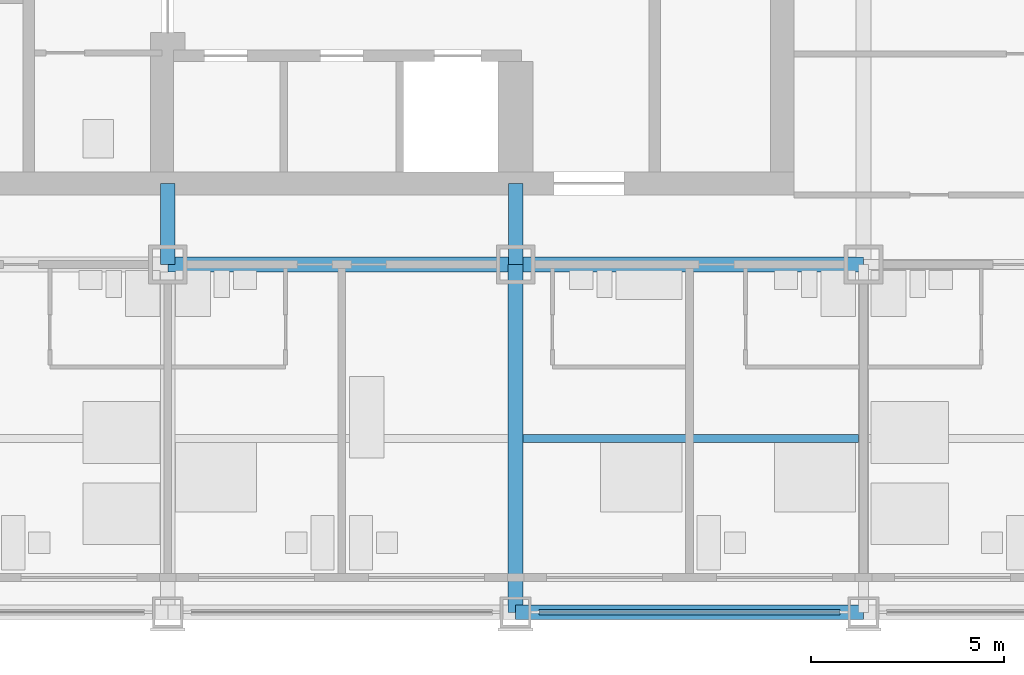
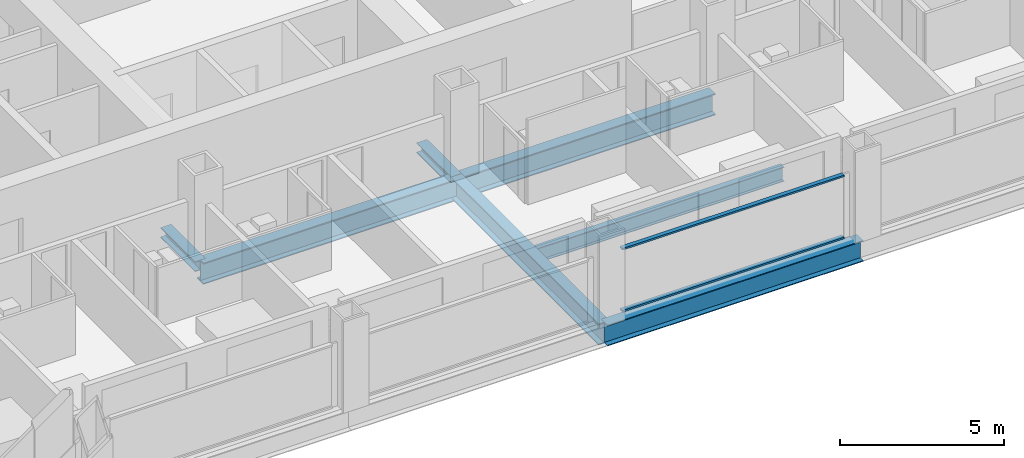
# One storey, part 3 of 19: 5 beams, 4 members, 1 element without a shape of its own.
"""IFC4 building model written with IfcOpenShell, lengths in metres."""

from ifc_helpers import new_model, si_unit, direction, frame, origin, origin_2d, place, context, subcontext, project, spatial, rectangle, i_section, extrude, material, material_profile, profile_set, type_object, element, aggregate, save


model = new_model("IFC4")

# Units and contexts
model_context = context("Model", 3, precision=1e-05, world=origin(), true_north=direction((0.0, 1.0)))
body_context = subcontext(model_context, "Body", "Model", "MODEL_VIEW")
ifc_project = project(units=[si_unit("LENGTHUNIT", "METRE"), si_unit("AREAUNIT", "SQUARE_METRE"), si_unit("VOLUMEUNIT", "CUBIC_METRE"), si_unit("PLANEANGLEUNIT", "RADIAN"), si_unit("MASSUNIT", "GRAM", prefix="KILO")], contexts=[model_context])

# Site, building, storey
site_placement = place(None, origin())
site = spatial("IfcSite", under=ifc_project, at=site_placement, CompositionType="ELEMENT")
building_placement = place(site_placement, origin())
building = spatial("IfcBuilding", under=site, at=building_placement, Name="Loomwork Tower", CompositionType="ELEMENT")
storey_placement = place(building_placement, frame((0.0, 0.0, 85.800048828125)))
storey = spatial("IfcBuildingStorey", under=building, at=storey_placement, Name="L22", CompositionType="ELEMENT", Elevation=85.800048828125)

# Beams
ifc_material_1 = material(Name="Steel ASTM A992", Category="steel")
ifc_material_profile_1 = material_profile(ifc_material_1, i_section(OverallWidth=0.383544921875, OverallDepth=0.794921875, WebThickness=0.02099609375, FlangeThickness=0.0380859375, at=origin_2d()), Name="W30x235")
ifc_profile_set_1 = profile_set([ifc_material_profile_1], Name="Steel ASTM A992")
beam_type_1 = type_object("IfcBeamType", Name="CORE FLANK GIRDER W30x235", PredefinedType="BEAM", material=ifc_profile_set_1)
for number, where, z_axis, x_axis, name in (
    (1, (18.0, 9.0, -0.59765625), (1.0, 0.0, 0.0), (0.0, 1.0, 0.0), "Core Flank Girder E/4-E/5 L22"),
    (2, (27.0, 9.0, -0.59765625), (1.0, 0.0, 0.0), (0.0, 1.0, 0.0), "Core Flank Girder E/5-E/6 L22"),
    (3, (27.0, 0.0, -0.59765625), (0.0, 1.0, 0.0), (-1.0, 0.0, 0.0), "Core Flank Girder D/5-E/5 L22"),
):
    element("IfcBeam", number, at=place(storey_placement, frame(where, z_axis=z_axis, x_axis=x_axis)), inside=storey, type_object=beam_type_1, Name=name, PredefinedType="BEAM", context=body_context, shape_type="SweptSolid", body=[
        extrude(i_section(OverallWidth=0.383544921875, OverallDepth=0.794921875, WebThickness=0.02099609375, FlangeThickness=0.0380859375, at=origin_2d()), origin(), (0.0, 0.0, 1.0), 9.0),
    ])

# Members
ifc_material_2 = material(Name="Steel ASTM A992", Category="steel")
ifc_material_profile_2 = material_profile(ifc_material_2, i_section(OverallWidth=0.373291015625, OverallDepth=0.373291015625, WebThickness=0.016357421875, FlangeThickness=0.026123046875, at=origin_2d()), Name="W14x132")
ifc_profile_set_2 = profile_set([ifc_material_profile_2], Name="Steel ASTM A992")
member_type_1 = type_object("IfcMemberType", Name="CORE LINK STRUT W14x132", PredefinedType="STRUT", material=ifc_profile_set_2)
for number, where, z_axis, x_axis, name in (
    (4, (27.0, 9.0, -0.38671875), (0.0, 1.0, 0.0), (-1.0, 0.0, 0.0), "Core link strut E/5-27.000,11.100 L22"),
    (5, (18.0, 9.0, -0.38671875), (0.0, 1.0, 0.0), (-1.0, 0.0, 0.0), "Core link strut E/4-18.000,11.100 L22"),
):
    element("IfcMember", number, at=place(storey_placement, frame(where, z_axis=z_axis, x_axis=x_axis)), inside=storey, type_object=member_type_1, Name=name, PredefinedType="STRUT", context=body_context, shape_type="SweptSolid", body=[
        extrude(i_section(OverallWidth=0.373291015625, OverallDepth=0.373291015625, WebThickness=0.016357421875, FlangeThickness=0.026123046875, at=origin_2d()), origin(), (0.0, 0.0, 1.0), 2.10009765625),
    ])

# Beam
ifc_material_3 = material(Name="Steel ASTM A992", Category="steel")
ifc_material_profile_3 = material_profile(ifc_material_3, i_section(OverallWidth=0.2109375, OverallDepth=0.53857421875, WebThickness=0.011474609375, FlangeThickness=0.018798828125, at=origin_2d()), Name="W21x73")
ifc_profile_set_3 = profile_set([ifc_material_profile_3], Name="Steel ASTM A992")
beam_type_2 = type_object("IfcBeamType", Name="FLOOR JOIST W21x73", PredefinedType="JOIST", material=ifc_profile_set_3)
beam_1_placement = place(storey_placement, frame((27.19091796875, 4.5, -0.46923828125), z_axis=(1.0, 0.0, 0.0), x_axis=(0.0, 1.0, 0.0)))
element("IfcBeam", 6, at=beam_1_placement, inside=storey, type_object=beam_type_2, Name="Floor Joist 27.000,4.500-36.000,4.500 L22", PredefinedType="JOIST", context=body_context, shape_type="SweptSolid", body=[
    extrude(i_section(OverallWidth=0.2109375, OverallDepth=0.53857421875, WebThickness=0.011474609375, FlangeThickness=0.018798828125, at=origin_2d()), origin(), (0.0, 0.0, 1.0), 8.676025390625),
])

# Curtain wall, members
ifc_material_4 = material(Name="Aluminium curtain wall frame", Category="aluminium")
curtain_wall_type = type_object("IfcCurtainWallType", Name="Outer skin glazing hotel", PredefinedType="NOTDEFINED", material=ifc_material_4)
curtain_wall_placement = place(storey_placement, origin())
curtain_wall = element("IfcCurtainWall", 7, at=curtain_wall_placement, inside=storey, type_object=curtain_wall_type, Name="Outer skin glazing hotel cw/S-27", PredefinedType="NOTDEFINED")
ifc_material_5 = material(Name="Aluminium curtain wall frame", Category="aluminium")
ifc_material_profile_4 = material_profile(ifc_material_5, rectangle(XDim=0.14990234375, YDim=0.06494140625, at=origin_2d()), Name="AL 65x150")
ifc_profile_set_4 = profile_set([ifc_material_profile_4], Name="Aluminium curtain wall frame")
member_type_2 = type_object("IfcMemberType", Name="Outer skin glazing hotel transom", PredefinedType="USERDEFINED", material=ifc_profile_set_4)
member_1_placement = place(storey_placement, frame((27.60009765625, 0.0, 0.032470703125), z_axis=(1.0, 0.0, 0.0), x_axis=(0.0, 1.0, 0.0)))
member_1 = element("IfcMember", 8, at=member_1_placement, type_object=member_type_2, Name="CW1 transom 1.1", ObjectType="TRANSOM", PredefinedType="USERDEFINED", context=body_context, shape_type="SweptSolid", body=[
    extrude(rectangle(XDim=0.14990234375, YDim=0.06494140625, at=origin_2d()), origin(), (0.0, 0.0, 1.0), 7.7998046875),
])
member_2_placement = place(storey_placement, frame((27.60009765625, 0.0, 2.337646484375), z_axis=(1.0, 0.0, 0.0), x_axis=(0.0, 1.0, 0.0)))
member_2 = element("IfcMember", 9, at=member_2_placement, type_object=member_type_2, Name="CW1 transom 1.2", ObjectType="TRANSOM", PredefinedType="USERDEFINED", context=body_context, shape_type="SweptSolid", body=[
    extrude(rectangle(XDim=0.14990234375, YDim=0.06494140625, at=origin_2d()), origin(), (0.0, 0.0, 1.0), 7.7998046875),
])
aggregate(curtain_wall, [member_1, member_2])

# Beam
ifc_material_6 = material(Name="Steel ASTM A992", Category="steel")
ifc_material_profile_5 = material_profile(ifc_material_6, i_section(OverallWidth=0.381103515625, OverallDepth=0.77978515625, WebThickness=0.01806640625, FlangeThickness=0.0302734375, at=origin_2d()), Name="W30x191")
ifc_profile_set_5 = profile_set([ifc_material_profile_5], Name="Steel ASTM A992")
beam_type_3 = type_object("IfcBeamType", Name="SPANDREL GIRDER W30x191", PredefinedType="SPANDREL", material=ifc_profile_set_5)
beam_2_placement = place(storey_placement, frame((27.0, 0.0, -0.58984375), z_axis=(1.0, 0.0, 0.0), x_axis=(0.0, 1.0, 0.0)))
element("IfcBeam", 10, at=beam_2_placement, inside=storey, type_object=beam_type_3, Name="Spandrel Girder D/5-D/6 L22", PredefinedType="SPANDREL", context=body_context, shape_type="SweptSolid", body=[
    extrude(i_section(OverallWidth=0.381103515625, OverallDepth=0.77978515625, WebThickness=0.01806640625, FlangeThickness=0.0302734375, at=origin_2d()), origin(), (0.0, 0.0, 1.0), 9.0),
])

save(model, "model.ifc")
